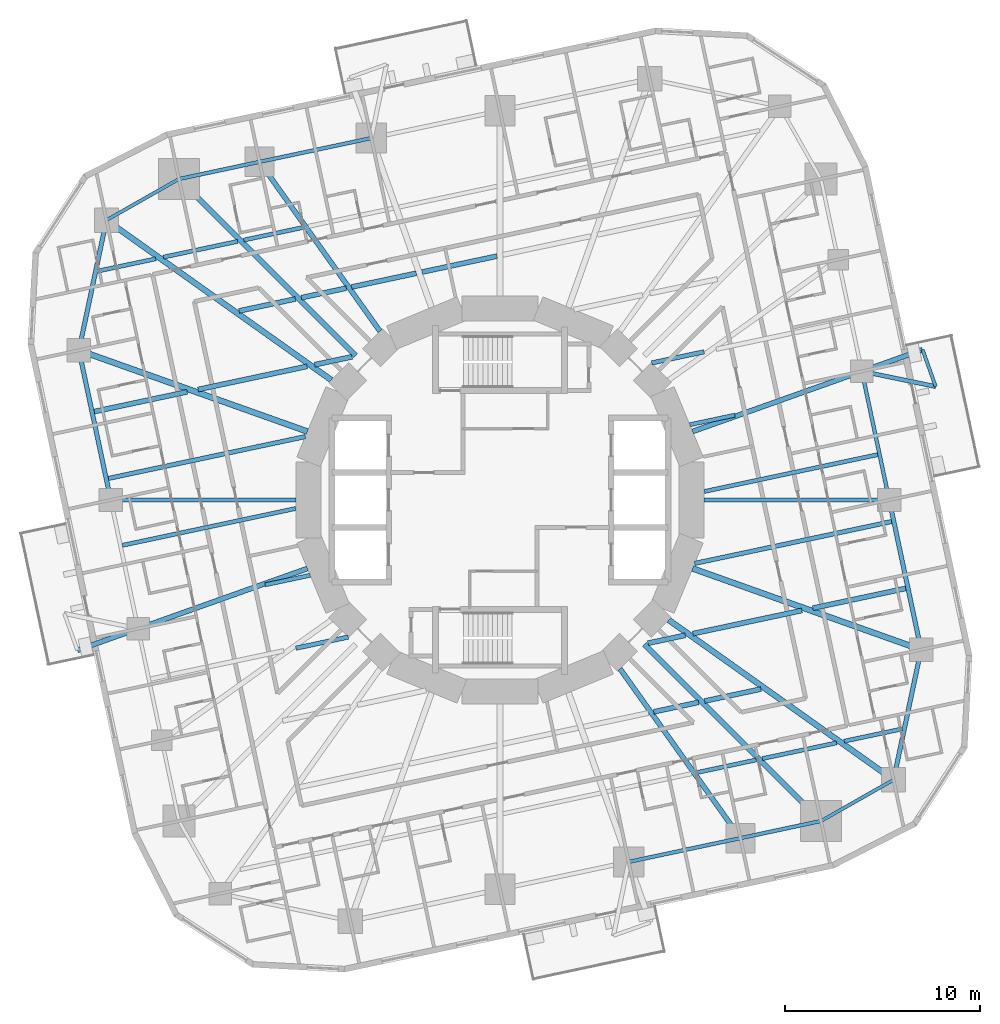
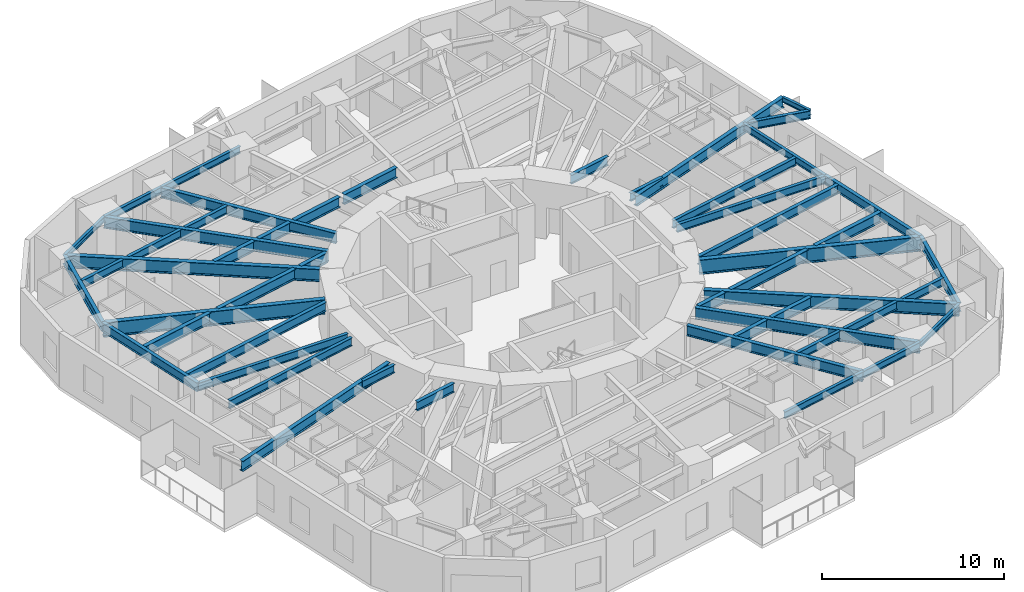
# One storey, part 2 of 14: 51 beams.
"""IFC4 building model written with IfcOpenShell, lengths in metres."""

from ifc_helpers import new_model, si_unit, direction, frame, origin, origin_2d, place, context, subcontext, project, spatial, i_section, extrude, material, material_profile, profile_set, type_object, element, save


model = new_model("IFC4")

# Units and contexts
model_context = context("Model", 3, precision=1e-05, world=origin(), true_north=direction((0.0, 1.0)))
body_context = subcontext(model_context, "Body", "Model", "MODEL_VIEW")
ifc_project = project(units=[si_unit("LENGTHUNIT", "METRE"), si_unit("AREAUNIT", "SQUARE_METRE"), si_unit("VOLUMEUNIT", "CUBIC_METRE"), si_unit("PLANEANGLEUNIT", "RADIAN"), si_unit("MASSUNIT", "GRAM", prefix="KILO")], contexts=[model_context])

# Site, building, storey
site_placement = place(None, origin())
site = spatial("IfcSite", under=ifc_project, at=site_placement, CompositionType="ELEMENT")
building_placement = place(site_placement, origin())
building = spatial("IfcBuilding", under=site, at=building_placement, Name="Nakasero Lantern House", CompositionType="ELEMENT")
storey_placement = place(building_placement, frame((0.0, 0.0, 128.10009765625)))
storey = spatial("IfcBuildingStorey", under=building, at=storey_placement, Name="L31", CompositionType="ELEMENT", Elevation=128.10009765625)

# Beams
ifc_material_1 = material(Name="Steel S355", Category="steel")
ifc_material_profile_1 = material_profile(ifc_material_1, i_section(OverallWidth=0.2138671875, OverallDepth=0.549072265625, WebThickness=0.0146484375, FlangeThickness=0.023681640625, FilletRadius=0.0126953125, at=origin_2d()), Name="UB 533x210x138")
ifc_profile_set_1 = profile_set([ifc_material_profile_1], Name="Steel S355")
beam_type_1 = type_object("IfcBeamType", Name="Balcony splay beam UB 533x210x138", PredefinedType="BEAM", material=ifc_profile_set_1)
beam_1_placement = place(storey_placement, frame((18.534912109375, 6.590087890625, 3.375244140625), z_axis=(0.979420272605, -0.201831438605, 0.0), x_axis=(0.201831438605, 0.979420272605, 0.0)))
element("IfcBeam", 1, at=beam_1_placement, inside=storey, type_object=beam_type_1, Name="Balcony splay beam L32 B3-C04A", PredefinedType="BEAM", context=body_context, shape_type="SweptSolid", body=[
    extrude(i_section(OverallWidth=0.2138671875, OverallDepth=0.549072265625, WebThickness=0.0146484375, FlangeThickness=0.023681640625, FilletRadius=0.0126953125, at=origin_2d()), origin(), (0.0, 0.0, 1.0), 3.858642578125),
])
ifc_material_2 = material(Name="Steel S355", Category="steel")
ifc_material_profile_2 = material_profile(ifc_material_2, i_section(OverallWidth=0.17138671875, OverallDepth=0.35498046875, WebThickness=0.00732421875, FlangeThickness=0.011474609375, FilletRadius=0.01025390625, at=origin_2d()), Name="UB 356x171x51")
ifc_profile_set_2 = profile_set([ifc_material_profile_2], Name="Steel S355")
beam_type_2 = type_object("IfcBeamType", Name="Balcony tie beam UB 356x171x51", PredefinedType="BEAM", material=ifc_profile_set_2)
beam_2_placement = place(storey_placement, frame((22.314208984375, 5.811279296875, 3.472412109375), z_axis=(-0.335060236487, 0.942196708721, 0.0), x_axis=(-0.942196708721, -0.335060236487, 0.0)))
element("IfcBeam", 2, at=beam_2_placement, inside=storey, type_object=beam_type_2, Name="Balcony tie beam L32 B3-C04", PredefinedType="BEAM", context=body_context, shape_type="SweptSolid", body=[
    extrude(i_section(OverallWidth=0.17138671875, OverallDepth=0.35498046875, WebThickness=0.00732421875, FlangeThickness=0.011474609375, FilletRadius=0.01025390625, at=origin_2d()), origin(), (0.0, 0.0, 1.0), 2.000244140625),
])
ifc_material_3 = material(Name="Steel S355", Category="steel")
ifc_material_profile_3 = material_profile(ifc_material_3, i_section(OverallWidth=0.2099609375, OverallDepth=0.53662109375, WebThickness=0.0107421875, FlangeThickness=0.017333984375, FilletRadius=0.0126953125, at=origin_2d()), Name="UB 533x210x101")
ifc_profile_set_3 = profile_set([ifc_material_profile_3], Name="Steel S355")
beam_type_3 = type_object("IfcBeamType", Name="Infill beam UB 533x210x101", PredefinedType="JOIST", material=ifc_profile_set_3)
beam_3_placement = place(storey_placement, frame((10.0830078125, -13.958740234375, 3.381591796875), z_axis=(0.97813788874, 0.207957376908, 0.0), x_axis=(-0.207957376908, 0.97813788874, 0.0)))
element("IfcBeam", 3, at=beam_3_placement, inside=storey, type_object=beam_type_3, Name="Infill beam L32 03.5", PredefinedType="JOIST", context=body_context, shape_type="SweptSolid", body=[
    extrude(i_section(OverallWidth=0.2099609375, OverallDepth=0.53662109375, WebThickness=0.0107421875, FlangeThickness=0.017333984375, FilletRadius=0.0126953125, at=origin_2d()), origin(), (0.0, 0.0, 1.0), 3.108642578125),
])
beam_4_placement = place(storey_placement, frame((13.434814453125, -13.24609375, 3.381591796875), z_axis=(0.978152946383, 0.207886539924, 0.0), x_axis=(-0.207886539924, 0.978152946383, 0.0)))
element("IfcBeam", 4, at=beam_4_placement, inside=storey, type_object=beam_type_3, Name="Infill beam L32 03.6", PredefinedType="JOIST", context=body_context, shape_type="SweptSolid", body=[
    extrude(i_section(OverallWidth=0.2099609375, OverallDepth=0.53662109375, WebThickness=0.0107421875, FlangeThickness=0.017333984375, FilletRadius=0.0126953125, at=origin_2d()), origin(), (0.0, 0.0, 1.0), 3.888427734375),
])
beam_5_placement = place(storey_placement, frame((17.626708984375, -12.355224609375, 3.381591796875), z_axis=(0.97814185296, 0.207938730129, 0.0), x_axis=(-0.207938730129, 0.97814185296, 0.0)))
element("IfcBeam", 5, at=beam_5_placement, inside=storey, type_object=beam_type_3, Name="Infill beam L32 03.7", PredefinedType="JOIST", context=body_context, shape_type="SweptSolid", body=[
    extrude(i_section(OverallWidth=0.2099609375, OverallDepth=0.53662109375, WebThickness=0.0107421875, FlangeThickness=0.017333984375, FilletRadius=0.0126953125, at=origin_2d()), origin(), (0.0, 0.0, 1.0), 3.0302734375),
])
beam_6_placement = place(storey_placement, frame((-12.030029296875, -4.34619140625, 3.381591796875), z_axis=(0.97814938161, 0.207903312278, 0.0), x_axis=(-0.207903312278, 0.97814938161, 0.0)))
element("IfcBeam", 6, at=beam_6_placement, inside=storey, type_object=beam_type_3, Name="Infill beam L32 07.1", PredefinedType="JOIST", context=body_context, shape_type="SweptSolid", body=[
    extrude(i_section(OverallWidth=0.2099609375, OverallDepth=0.53662109375, WebThickness=0.0107421875, FlangeThickness=0.017333984375, FilletRadius=0.0126953125, at=origin_2d()), origin(), (0.0, 0.0, 1.0), 2.359130859375),
])
for number, where, z_axis, x_axis, name in (
    (7, (10.457763671875, 0.433837890625, 3.381591796875), (0.978146760676, 0.207915642939, 0.0), (-0.207915642939, 0.978146760676, 0.0), "Infill beam L32 07.2"),
    (8, (-19.34423828125, -2.32275390625, 3.381591796875), (0.978146760676, 0.207915642939, 0.0), (-0.207915642939, 0.978146760676, 0.0), "Infill beam L32 08.1"),
):
    element("IfcBeam", number, at=place(storey_placement, frame(where, z_axis=z_axis, x_axis=x_axis)), inside=storey, type_object=beam_type_3, Name=name, PredefinedType="JOIST", context=body_context, shape_type="SweptSolid", body=[
        extrude(i_section(OverallWidth=0.2099609375, OverallDepth=0.53662109375, WebThickness=0.0107421875, FlangeThickness=0.017333984375, FilletRadius=0.0126953125, at=origin_2d()), origin(), (0.0, 0.0, 1.0), 9.0849609375),
    ])
beam_7_placement = place(storey_placement, frame((9.722412109375, 3.855712890625, 3.381591796875), z_axis=(0.97814938161, 0.207903312278, 0.0), x_axis=(-0.207903312278, 0.97814938161, 0.0)))
element("IfcBeam", 9, at=beam_7_placement, inside=storey, type_object=beam_type_3, Name="Infill beam L32 08.2", PredefinedType="JOIST", context=body_context, shape_type="SweptSolid", body=[
    extrude(i_section(OverallWidth=0.2099609375, OverallDepth=0.53662109375, WebThickness=0.0107421875, FlangeThickness=0.017333984375, FilletRadius=0.0126953125, at=origin_2d()), origin(), (0.0, 0.0, 1.0), 2.359130859375),
])
beam_8_placement = place(storey_placement, frame((-20.5908203125, 11.72509765625, 3.381591796875), z_axis=(0.97814185296, 0.207938730129, 0.0), x_axis=(-0.207938730129, 0.97814185296, 0.0)))
element("IfcBeam", 10, at=beam_8_placement, inside=storey, type_object=beam_type_3, Name="Infill beam L32 12.1", PredefinedType="JOIST", context=body_context, shape_type="SweptSolid", body=[
    extrude(i_section(OverallWidth=0.2099609375, OverallDepth=0.53662109375, WebThickness=0.0107421875, FlangeThickness=0.017333984375, FilletRadius=0.0126953125, at=origin_2d()), origin(), (0.0, 0.0, 1.0), 3.0302734375),
])
beam_9_placement = place(storey_placement, frame((-17.23828125, 12.437744140625, 3.381591796875), z_axis=(0.978152946383, 0.207886539924, 0.0), x_axis=(-0.207886539924, 0.978152946383, 0.0)))
element("IfcBeam", 11, at=beam_9_placement, inside=storey, type_object=beam_type_3, Name="Infill beam L32 12.2", PredefinedType="JOIST", context=body_context, shape_type="SweptSolid", body=[
    extrude(i_section(OverallWidth=0.2099609375, OverallDepth=0.53662109375, WebThickness=0.0107421875, FlangeThickness=0.017333984375, FilletRadius=0.0126953125, at=origin_2d()), origin(), (0.0, 0.0, 1.0), 3.888427734375),
])
beam_10_placement = place(storey_placement, frame((-13.123779296875, 13.312255859375, 3.381591796875), z_axis=(0.97813788874, 0.207957376908, 0.0), x_axis=(-0.207957376908, 0.97813788874, 0.0)))
element("IfcBeam", 12, at=beam_10_placement, inside=storey, type_object=beam_type_3, Name="Infill beam L32 12.3", PredefinedType="JOIST", context=body_context, shape_type="SweptSolid", body=[
    extrude(i_section(OverallWidth=0.2099609375, OverallDepth=0.53662109375, WebThickness=0.0107421875, FlangeThickness=0.017333984375, FilletRadius=0.0126953125, at=origin_2d()), origin(), (0.0, 0.0, 1.0), 3.108642578125),
])
ifc_material_4 = material(Name="Steel S355", Category="steel")
ifc_material_profile_4 = material_profile(ifc_material_4, i_section(OverallWidth=0.2275390625, OverallDepth=0.6025390625, WebThickness=0.010498046875, FlangeThickness=0.014892578125, FilletRadius=0.0126953125, at=origin_2d()), Name="UB 610x229x101")
ifc_profile_set_4 = profile_set([ifc_material_profile_4], Name="Steel S355")
beam_type_4 = type_object("IfcBeamType", Name="Infill beam UB 610x229x101", PredefinedType="JOIST", material=ifc_profile_set_4)
beam_11_placement = place(storey_placement, frame((-10.453369140625, -7.58935546875, 3.3486328125), z_axis=(0.978139842642, 0.207948186423, 0.0), x_axis=(-0.207948186423, 0.978139842642, 0.0)))
element("IfcBeam", 13, at=beam_11_placement, inside=storey, type_object=beam_type_4, Name="Infill beam L32 06.2", PredefinedType="JOIST", context=body_context, shape_type="SweptSolid", body=[
    extrude(i_section(OverallWidth=0.2275390625, OverallDepth=0.6025390625, WebThickness=0.010498046875, FlangeThickness=0.014892578125, FilletRadius=0.0126953125, at=origin_2d()), origin(), (0.0, 0.0, 1.0), 2.74267578125),
])
for number, where, z_axis, x_axis, name in (
    (14, (9.974365234375, -3.2470703125, 3.3486328125), (0.978151564707, 0.207893040916, 0.0), (-0.207893040916, 0.978151564707, 0.0), "Infill beam L32 06.3"),
    (15, (-20.05419921875, 1.104736328125, 3.3486328125), (0.978151564707, 0.207893040916, 0.0), (-0.207893040916, 0.978151564707, 0.0), "Infill beam L32 09.1"),
):
    element("IfcBeam", number, at=place(storey_placement, frame(where, z_axis=z_axis, x_axis=x_axis)), inside=storey, type_object=beam_type_4, Name=name, PredefinedType="JOIST", context=body_context, shape_type="SweptSolid", body=[
        extrude(i_section(OverallWidth=0.2275390625, OverallDepth=0.6025390625, WebThickness=0.010498046875, FlangeThickness=0.014892578125, FilletRadius=0.0126953125, at=origin_2d()), origin(), (0.0, 0.0, 1.0), 10.304931640625),
    ])
beam_12_placement = place(storey_placement, frame((7.770751953125, 7.01904296875, 3.3486328125), z_axis=(0.978139842642, 0.207948186423, 0.0), x_axis=(-0.207948186423, 0.978139842642, 0.0)))
element("IfcBeam", 16, at=beam_12_placement, inside=storey, type_object=beam_type_4, Name="Infill beam L32 09.2", PredefinedType="JOIST", context=body_context, shape_type="SweptSolid", body=[
    extrude(i_section(OverallWidth=0.2275390625, OverallDepth=0.6025390625, WebThickness=0.010498046875, FlangeThickness=0.014892578125, FilletRadius=0.0126953125, at=origin_2d()), origin(), (0.0, 0.0, 1.0), 2.74267578125),
])
ifc_material_5 = material(Name="Steel S355", Category="steel")
ifc_material_profile_5 = material_profile(ifc_material_5, i_section(OverallWidth=0.253662109375, OverallDepth=0.68359375, WebThickness=0.012451171875, FlangeThickness=0.01904296875, FilletRadius=0.01513671875, at=origin_2d()), Name="UB 686x254x140")
ifc_profile_set_5 = profile_set([ifc_material_profile_5], Name="Steel S355")
beam_type_5 = type_object("IfcBeamType", Name="Infill beam UB 686x254x140", PredefinedType="JOIST", material=ifc_profile_set_5)
beam_13_placement = place(storey_placement, frame((7.872802734375, -10.850341796875, 3.30810546875), z_axis=(0.97813694426, 0.207961819271, 0.0), x_axis=(-0.207961819271, 0.97813694426, 0.0)))
element("IfcBeam", 17, at=beam_13_placement, inside=storey, type_object=beam_type_5, Name="Infill beam L32 04.5", PredefinedType="JOIST", context=body_context, shape_type="SweptSolid", body=[
    extrude(i_section(OverallWidth=0.253662109375, OverallDepth=0.68359375, WebThickness=0.012451171875, FlangeThickness=0.01904296875, FilletRadius=0.01513671875, at=origin_2d()), origin(), (0.0, 0.0, 1.0), 2.3515625),
])
for number, where, z_axis, x_axis, name in (
    (18, (10.48388671875, -10.295166015625, 3.30810546875), (0.978146839882, 0.207915270313, 0.0), (-0.207915270313, 0.978146839882, 0.0), "Infill beam L32 04.6"),
    (19, (-13.364501953125, 9.682861328125, 3.30810546875), (0.978146839882, 0.207915270313, 0.0), (-0.207915270313, 0.978146839882, 0.0), "Infill beam L32 11.1"),
):
    element("IfcBeam", number, at=place(storey_placement, frame(where, z_axis=z_axis, x_axis=x_axis)), inside=storey, type_object=beam_type_5, Name=name, PredefinedType="JOIST", context=body_context, shape_type="SweptSolid", body=[
        extrude(i_section(OverallWidth=0.253662109375, OverallDepth=0.68359375, WebThickness=0.012451171875, FlangeThickness=0.01904296875, FilletRadius=0.01513671875, at=origin_2d()), origin(), (0.0, 0.0, 1.0), 2.945068359375),
    ])
beam_14_placement = place(storey_placement, frame((-10.1728515625, 10.361328125, 3.30810546875), z_axis=(0.97813694426, 0.207961819271, 0.0), x_axis=(-0.207961819271, 0.97813694426, 0.0)))
element("IfcBeam", 20, at=beam_14_placement, inside=storey, type_object=beam_type_5, Name="Infill beam L32 11.2", PredefinedType="JOIST", context=body_context, shape_type="SweptSolid", body=[
    extrude(i_section(OverallWidth=0.253662109375, OverallDepth=0.68359375, WebThickness=0.012451171875, FlangeThickness=0.01904296875, FilletRadius=0.01513671875, at=origin_2d()), origin(), (0.0, 0.0, 1.0), 2.3515625),
])
beam_15_placement = place(storey_placement, frame((-7.60009765625, 10.908203125, 3.30810546875), z_axis=(0.978143084163, 0.207932938478, 0.0), x_axis=(-0.207932938478, 0.978143084163, 0.0)))
element("IfcBeam", 21, at=beam_15_placement, inside=storey, type_object=beam_type_5, Name="Infill beam L32 11.3", PredefinedType="JOIST", context=body_context, shape_type="SweptSolid", body=[
    extrude(i_section(OverallWidth=0.253662109375, OverallDepth=0.68359375, WebThickness=0.012451171875, FlangeThickness=0.01904296875, FilletRadius=0.01513671875, at=origin_2d()), origin(), (0.0, 0.0, 1.0), 3.385009765625),
])
beam_16_placement = place(storey_placement, frame((-3.990966796875, 11.67529296875, 3.30810546875), z_axis=(0.978145250615, 0.20792274695, 0.0), x_axis=(-0.20792274695, 0.978145250615, 0.0)))
element("IfcBeam", 22, at=beam_16_placement, inside=storey, type_object=beam_type_5, Name="Infill beam L32 11.4", PredefinedType="JOIST", context=body_context, shape_type="SweptSolid", body=[
    extrude(i_section(OverallWidth=0.253662109375, OverallDepth=0.68359375, WebThickness=0.012451171875, FlangeThickness=0.01904296875, FilletRadius=0.01513671875, at=origin_2d()), origin(), (0.0, 0.0, 1.0), 3.924072265625),
])
ifc_material_6 = material(Name="Steel S355", Category="steel")
ifc_material_profile_6 = material_profile(ifc_material_6, i_section(OverallWidth=0.255859375, OverallDepth=0.69287109375, WebThickness=0.014404296875, FlangeThickness=0.023681640625, FilletRadius=0.01513671875, at=origin_2d()), Name="UB 686x254x170")
ifc_profile_set_6 = profile_set([ifc_material_profile_6], Name="Steel S355")
beam_type_6 = type_object("IfcBeamType", Name="Infill beam UB 686x254x170", PredefinedType="JOIST", material=ifc_profile_set_6)
beam_17_placement = place(storey_placement, frame((7.5771484375, -7.3349609375, 3.303466796875), z_axis=(0.978142670498, 0.207934884401, 0.0), x_axis=(-0.207934884401, 0.978142670498, 0.0)))
element("IfcBeam", 23, at=beam_17_placement, inside=storey, type_object=beam_type_6, Name="Infill beam L32 05.3", PredefinedType="JOIST", context=body_context, shape_type="SweptSolid", body=[
    extrude(i_section(OverallWidth=0.255859375, OverallDepth=0.69287109375, WebThickness=0.014404296875, FlangeThickness=0.023681640625, FilletRadius=0.01513671875, at=origin_2d()), origin(), (0.0, 0.0, 1.0), 1.9560546875),
])
beam_18_placement = place(storey_placement, frame((9.87890625, -6.845703125, 3.303466796875), z_axis=(0.978148855575, 0.207905787166, 0.0), x_axis=(-0.207905787166, 0.978148855575, 0.0)))
element("IfcBeam", 24, at=beam_18_placement, inside=storey, type_object=beam_type_6, Name="Infill beam L32 05.4", PredefinedType="JOIST", context=body_context, shape_type="SweptSolid", body=[
    extrude(i_section(OverallWidth=0.255859375, OverallDepth=0.69287109375, WebThickness=0.014404296875, FlangeThickness=0.023681640625, FilletRadius=0.01513671875, at=origin_2d()), origin(), (0.0, 0.0, 1.0), 5.711669921875),
])
for number, where, z_axis, x_axis, name in (
    (25, (16.026123046875, -5.5390625, 3.303466796875), (0.978141363358, 0.207941033198, 0.0), (-0.207941033198, 0.978141363358, 0.0), "Infill beam L32 05.5"),
    (26, (-20.78173828125, 4.528076171875, 3.303466796875), (0.978141363358, 0.207941033198, 0.0), (-0.207941033198, 0.978141363358, 0.0), "Infill beam L32 10.1"),
):
    element("IfcBeam", number, at=place(storey_placement, frame(where, z_axis=z_axis, x_axis=x_axis)), inside=storey, type_object=beam_type_6, Name=name, PredefinedType="JOIST", context=body_context, shape_type="SweptSolid", body=[
        extrude(i_section(OverallWidth=0.255859375, OverallDepth=0.69287109375, WebThickness=0.014404296875, FlangeThickness=0.023681640625, FilletRadius=0.01513671875, at=origin_2d()), origin(), (0.0, 0.0, 1.0), 4.86181640625),
    ])
beam_19_placement = place(storey_placement, frame((-15.4658203125, 5.658203125, 3.303466796875), z_axis=(0.978148855575, 0.207905787166, 0.0), x_axis=(-0.207905787166, 0.978148855575, 0.0)))
element("IfcBeam", 27, at=beam_19_placement, inside=storey, type_object=beam_type_6, Name="Infill beam L32 10.2", PredefinedType="JOIST", context=body_context, shape_type="SweptSolid", body=[
    extrude(i_section(OverallWidth=0.255859375, OverallDepth=0.69287109375, WebThickness=0.014404296875, FlangeThickness=0.023681640625, FilletRadius=0.01513671875, at=origin_2d()), origin(), (0.0, 0.0, 1.0), 5.711669921875),
])
beam_20_placement = place(storey_placement, frame((-9.490478515625, 6.92822265625, 3.303466796875), z_axis=(0.978142670498, 0.207934884401, 0.0), x_axis=(-0.207934884401, 0.978142670498, 0.0)))
element("IfcBeam", 28, at=beam_20_placement, inside=storey, type_object=beam_type_6, Name="Infill beam L32 10.3", PredefinedType="JOIST", context=body_context, shape_type="SweptSolid", body=[
    extrude(i_section(OverallWidth=0.255859375, OverallDepth=0.69287109375, WebThickness=0.014404296875, FlangeThickness=0.023681640625, FilletRadius=0.01513671875, at=origin_2d()), origin(), (0.0, 0.0, 1.0), 1.9560546875),
])
ifc_material_7 = material(Name="Steel S355", Category="steel")
ifc_material_profile_7 = material_profile(ifc_material_7, i_section(OverallWidth=0.300048828125, OverallDepth=0.97998046875, WebThickness=0.0166015625, FlangeThickness=0.02587890625, FilletRadius=0.030029296875, at=origin_2d()), Name="UB 1016x305x249")
ifc_profile_set_7 = profile_set([ifc_material_profile_7], Name="Steel S355")
beam_type_7 = type_object("IfcBeamType", Name="Primary beam UB 1016x305x249, span 12 to 15 m", PredefinedType="BEAM", material=ifc_profile_set_7)
for number, where, z_axis, x_axis, name in (
    (29, (21.5654296875, -7.667724609375, 3.159912109375), (-0.942213862739, 0.335011995103, 0.0), (-0.335011995103, -0.942213862739, 0.0), "Primary beam L32 B3-C02"),
    (30, (-21.5654296875, 7.667724609375, 3.159912109375), (0.942213862739, -0.335011995103, 0.0), (0.335011995103, 0.942213862739, 0.0), "Primary beam L32 B3-C14"),
):
    element("IfcBeam", number, at=place(storey_placement, frame(where, z_axis=z_axis, x_axis=x_axis)), inside=storey, type_object=beam_type_7, Name=name, PredefinedType="BEAM", context=body_context, shape_type="SweptSolid", body=[
        extrude(i_section(OverallWidth=0.300048828125, OverallDepth=0.97998046875, WebThickness=0.0166015625, FlangeThickness=0.02587890625, FilletRadius=0.030029296875, at=origin_2d()), origin(), (0.0, 0.0, 1.0), 12.41650390625),
    ])
ifc_material_8 = material(Name="Steel S355", Category="steel")
ifc_material_profile_8 = material_profile(ifc_material_8, i_section(OverallWidth=0.208740234375, OverallDepth=0.5283203125, WebThickness=0.009521484375, FlangeThickness=0.01318359375, FilletRadius=0.0126953125, at=origin_2d()), Name="UB 533x210x82")
ifc_profile_set_8 = profile_set([ifc_material_profile_8], Name="Steel S355")
beam_type_8 = type_object("IfcBeamType", Name="Primary beam UB 533x210x82, span 9 to 12 m", PredefinedType="BEAM", material=ifc_profile_set_8)
for number, where, z_axis, x_axis, name in (
    (31, (19.935546875, 0.0, 3.3857421875), (-1.0, 0.0, 0.0), (0.0, -1.0, 0.0), "Primary beam L32 B3-C03"),
    (32, (-19.935546875, 0.0, 3.3857421875), (1.0, 0.0, 0.0), (0.0, 1.0, 0.0), "Primary beam L32 B3-C15"),
):
    element("IfcBeam", number, at=place(storey_placement, frame(where, z_axis=z_axis, x_axis=x_axis)), inside=storey, type_object=beam_type_8, Name=name, PredefinedType="BEAM", context=body_context, shape_type="SweptSolid", body=[
        extrude(i_section(OverallWidth=0.208740234375, OverallDepth=0.5283203125, WebThickness=0.009521484375, FlangeThickness=0.01318359375, FilletRadius=0.0126953125, at=origin_2d()), origin(), (0.0, 0.0, 1.0), 9.477783203125),
    ])
ifc_material_9 = material(Name="Steel S355", Category="steel")
ifc_material_profile_9 = material_profile(ifc_material_9, i_section(OverallWidth=0.255859375, OverallDepth=0.69287109375, WebThickness=0.014404296875, FlangeThickness=0.023681640625, FilletRadius=0.01513671875, at=origin_2d()), Name="UB 686x254x170")
ifc_profile_set_9 = profile_set([ifc_material_profile_9], Name="Steel S355")
beam_type_9 = type_object("IfcBeamType", Name="Primary beam UB 686x254x170, span 9 to 12 m", PredefinedType="BEAM", material=ifc_profile_set_9)
beam_21_placement = place(storey_placement, frame((21.64404296875, 7.69580078125, 3.303466796875), z_axis=(-0.942210717159, -0.335020841845, 0.0), x_axis=(0.335020841845, -0.942210717159, 0.0)))
element("IfcBeam", 33, at=beam_21_placement, inside=storey, type_object=beam_type_9, Name="Primary beam L32 B3-C04", PredefinedType="BEAM", context=body_context, shape_type="SweptSolid", body=[
    extrude(i_section(OverallWidth=0.255859375, OverallDepth=0.69287109375, WebThickness=0.014404296875, FlangeThickness=0.023681640625, FilletRadius=0.01513671875, at=origin_2d()), origin(), (0.0, 0.0, 1.0), 12.5),
])
beam_22_placement = place(storey_placement, frame((-12.31494140625, 17.318115234375, 3.303466796875), z_axis=(0.579520739774, -0.814957491022, 0.0), x_axis=(0.814957491022, 0.579520739774, 0.0)))
element("IfcBeam", 34, at=beam_22_placement, inside=storey, type_object=beam_type_9, Name="Primary beam L32 B3-C11", PredefinedType="BEAM", context=body_context, shape_type="SweptSolid", body=[
    extrude(i_section(OverallWidth=0.255859375, OverallDepth=0.69287109375, WebThickness=0.014404296875, FlangeThickness=0.023681640625, FilletRadius=0.01513671875, at=origin_2d()), origin(), (0.0, 0.0, 1.0), 10.64453125),
])
beam_23_placement = place(storey_placement, frame((-21.64404296875, -7.69580078125, 3.303466796875), z_axis=(0.942210717159, 0.335020841845, 0.0), x_axis=(-0.335020841845, 0.942210717159, 0.0)))
element("IfcBeam", 35, at=beam_23_placement, inside=storey, type_object=beam_type_9, Name="Primary beam L32 B3-C16", PredefinedType="BEAM", context=body_context, shape_type="SweptSolid", body=[
    extrude(i_section(OverallWidth=0.255859375, OverallDepth=0.69287109375, WebThickness=0.014404296875, FlangeThickness=0.023681640625, FilletRadius=0.01513671875, at=origin_2d()), origin(), (0.0, 0.0, 1.0), 12.5),
])
beam_24_placement = place(storey_placement, frame((12.31494140625, -17.318115234375, 3.303466796875), z_axis=(-0.579520739774, 0.814957491022, 0.0), x_axis=(-0.814957491022, -0.579520739774, 0.0)))
element("IfcBeam", 36, at=beam_24_placement, inside=storey, type_object=beam_type_9, Name="Primary beam L32 B3-C23", PredefinedType="BEAM", context=body_context, shape_type="SweptSolid", body=[
    extrude(i_section(OverallWidth=0.255859375, OverallDepth=0.69287109375, WebThickness=0.014404296875, FlangeThickness=0.023681640625, FilletRadius=0.01513671875, at=origin_2d()), origin(), (0.0, 0.0, 1.0), 10.64453125),
])
ifc_material_10 = material(Name="Steel S355", Category="steel")
ifc_material_profile_10 = material_profile(ifc_material_10, i_section(OverallWidth=0.2666015625, OverallDepth=0.76220703125, WebThickness=0.014404296875, FlangeThickness=0.021484375, FilletRadius=0.0166015625, at=origin_2d()), Name="UB 762x267x173")
ifc_profile_set_10 = profile_set([ifc_material_profile_10], Name="Steel S355")
beam_type_10 = type_object("IfcBeamType", Name="Primary beam UB 762x267x173, span 12 to 15 m", PredefinedType="BEAM", material=ifc_profile_set_10)
for number, where, z_axis, x_axis, name in (
    (37, (-16.44091796875, 16.44091796875, 3.268798828125), (0.707106781187, -0.707106781187, 0.0), (0.707106781187, 0.707106781187, 0.0), "Primary beam L32 B3-C12"),
    (38, (16.44091796875, -16.44091796875, 3.268798828125), (-0.707106781187, 0.707106781187, 0.0), (-0.707106781187, -0.707106781187, 0.0), "Primary beam L32 B3-C24"),
):
    element("IfcBeam", number, at=place(storey_placement, frame(where, z_axis=z_axis, x_axis=x_axis)), inside=storey, type_object=beam_type_10, Name=name, PredefinedType="BEAM", context=body_context, shape_type="SweptSolid", body=[
        extrude(i_section(OverallWidth=0.2666015625, OverallDepth=0.76220703125, WebThickness=0.014404296875, FlangeThickness=0.021484375, FilletRadius=0.0166015625, at=origin_2d()), origin(), (0.0, 0.0, 1.0), 12.793212890625),
    ])
ifc_material_11 = material(Name="Steel S355", Category="steel")
ifc_material_profile_11 = material_profile(ifc_material_11, i_section(OverallWidth=0.29248046875, OverallDepth=0.8408203125, WebThickness=0.0146484375, FlangeThickness=0.02685546875, FilletRadius=0.017822265625, at=origin_2d()), Name="UB 838x292x194")
ifc_profile_set_11 = profile_set([ifc_material_profile_11], Name="Steel S355")
beam_type_11 = type_object("IfcBeamType", Name="Primary beam UB 838x292x194, span 12 to 15 m", PredefinedType="BEAM", material=ifc_profile_set_11)
for number, where, z_axis, x_axis, name in (
    (39, (20.15625, -14.33349609375, 3.2294921875), (-0.814946074386, 0.57953679421, 0.0), (-0.57953679421, -0.814946074386, 0.0), "Primary beam L32 B3-C01"),
    (40, (-20.15625, 14.33349609375, 3.2294921875), (0.814946074386, -0.57953679421, 0.0), (0.57953679421, 0.814946074386, 0.0), "Primary beam L32 B3-C13"),
):
    element("IfcBeam", number, at=place(storey_placement, frame(where, z_axis=z_axis, x_axis=x_axis)), inside=storey, type_object=beam_type_11, Name=name, PredefinedType="BEAM", context=body_context, shape_type="SweptSolid", body=[
        extrude(i_section(OverallWidth=0.29248046875, OverallDepth=0.8408203125, WebThickness=0.0146484375, FlangeThickness=0.02685546875, FilletRadius=0.017822265625, at=origin_2d()), origin(), (0.0, 0.0, 1.0), 14.127197265625),
    ])
ifc_material_12 = material(Name="Steel S355", Category="steel")
ifc_material_profile_12 = material_profile(ifc_material_12, i_section(OverallWidth=0.17138671875, OverallDepth=0.35498046875, WebThickness=0.00732421875, FlangeThickness=0.011474609375, FilletRadius=0.01025390625, at=origin_2d()), Name="UB 356x171x51")
ifc_profile_set_12 = profile_set([ifc_material_profile_12], Name="Steel S355")
beam_type_12 = type_object("IfcBeamType", Name="Ring beam UB 356x171x51", PredefinedType="BEAM", material=ifc_profile_set_12)
for number, where, z_axis, x_axis, name in (
    (41, (-16.44091796875, 16.44091796875, 3.472412109375), (-0.869814536213, -0.493378832737, 0.0), (0.493378832737, -0.869814536213, 0.0), "Ring beam L32 B3-C12"),
    (42, (16.44091796875, -16.44091796875, 3.472412109375), (0.869814536213, 0.493378832737, 0.0), (-0.493378832737, 0.869814536213, 0.0), "Ring beam L32 B3-C24"),
):
    element("IfcBeam", number, at=place(storey_placement, frame(where, z_axis=z_axis, x_axis=x_axis)), inside=storey, type_object=beam_type_12, Name=name, PredefinedType="BEAM", context=body_context, shape_type="SweptSolid", body=[
        extrude(i_section(OverallWidth=0.17138671875, OverallDepth=0.35498046875, WebThickness=0.00732421875, FlangeThickness=0.011474609375, FilletRadius=0.01025390625, at=origin_2d()), origin(), (0.0, 0.0, 1.0), 4.271484375),
    ])
ifc_material_13 = material(Name="Steel S355", Category="steel")
ifc_material_profile_13 = material_profile(ifc_material_13, i_section(OverallWidth=0.19140625, OverallDepth=0.4599609375, WebThickness=0.010009765625, FlangeThickness=0.01611328125, FilletRadius=0.01025390625, at=origin_2d()), Name="UB 457x191x82")
ifc_profile_set_13 = profile_set([ifc_material_profile_13], Name="Steel S355")
beam_type_13 = type_object("IfcBeamType", Name="Ring beam UB 457x191x82", PredefinedType="BEAM", material=ifc_profile_set_13)
beam_25_placement = place(storey_placement, frame((19.935546875, 0.0, 3.419921875), z_axis=(-0.20789299389, 0.978151574702, 0.0), x_axis=(-0.978151574702, -0.20789299389, 0.0)))
element("IfcBeam", 43, at=beam_25_placement, inside=storey, type_object=beam_type_13, Name="Ring beam L32 B3-C03", PredefinedType="BEAM", context=body_context, shape_type="SweptSolid", body=[
    extrude(i_section(OverallWidth=0.19140625, OverallDepth=0.4599609375, WebThickness=0.010009765625, FlangeThickness=0.01611328125, FilletRadius=0.01025390625, at=origin_2d()), origin(), (0.0, 0.0, 1.0), 6.7373046875),
])
beam_26_placement = place(storey_placement, frame((-6.590087890625, 18.534912109375, 3.419921875), z_axis=(-0.978149626621, -0.207902159541, 0.0), x_axis=(0.207902159541, -0.978149626621, 0.0)))
element("IfcBeam", 44, at=beam_26_placement, inside=storey, type_object=beam_type_13, Name="Ring beam L32 B3-C10", PredefinedType="BEAM", context=body_context, shape_type="SweptSolid", body=[
    extrude(i_section(OverallWidth=0.19140625, OverallDepth=0.4599609375, WebThickness=0.010009765625, FlangeThickness=0.01611328125, FilletRadius=0.01025390625, at=origin_2d()), origin(), (0.0, 0.0, 1.0), 5.852783203125),
])
beam_27_placement = place(storey_placement, frame((-12.31494140625, 17.318115234375, 3.419921875), z_axis=(-0.978138252658, -0.207955665195, 0.0), x_axis=(0.207955665195, -0.978138252658, 0.0)))
element("IfcBeam", 45, at=beam_27_placement, inside=storey, type_object=beam_type_13, Name="Ring beam L32 B3-C11", PredefinedType="BEAM", context=body_context, shape_type="SweptSolid", body=[
    extrude(i_section(OverallWidth=0.19140625, OverallDepth=0.4599609375, WebThickness=0.010009765625, FlangeThickness=0.01611328125, FilletRadius=0.01025390625, at=origin_2d()), origin(), (0.0, 0.0, 1.0), 4.21826171875),
])
beam_28_placement = place(storey_placement, frame((6.590087890625, -18.534912109375, 3.419921875), z_axis=(0.978149626621, 0.207902159541, 0.0), x_axis=(-0.207902159541, 0.978149626621, 0.0)))
element("IfcBeam", 46, at=beam_28_placement, inside=storey, type_object=beam_type_13, Name="Ring beam L32 B3-C22", PredefinedType="BEAM", context=body_context, shape_type="SweptSolid", body=[
    extrude(i_section(OverallWidth=0.19140625, OverallDepth=0.4599609375, WebThickness=0.010009765625, FlangeThickness=0.01611328125, FilletRadius=0.01025390625, at=origin_2d()), origin(), (0.0, 0.0, 1.0), 5.852783203125),
])
beam_29_placement = place(storey_placement, frame((12.31494140625, -17.318115234375, 3.419921875), z_axis=(0.978138252658, 0.207955665195, 0.0), x_axis=(-0.207955665195, 0.978138252658, 0.0)))
element("IfcBeam", 47, at=beam_29_placement, inside=storey, type_object=beam_type_13, Name="Ring beam L32 B3-C23", PredefinedType="BEAM", context=body_context, shape_type="SweptSolid", body=[
    extrude(i_section(OverallWidth=0.19140625, OverallDepth=0.4599609375, WebThickness=0.010009765625, FlangeThickness=0.01611328125, FilletRadius=0.01025390625, at=origin_2d()), origin(), (0.0, 0.0, 1.0), 4.21826171875),
])
ifc_material_14 = material(Name="Steel S355", Category="steel")
ifc_material_profile_14 = material_profile(ifc_material_14, i_section(OverallWidth=0.2275390625, OverallDepth=0.6025390625, WebThickness=0.010498046875, FlangeThickness=0.014892578125, FilletRadius=0.0126953125, at=origin_2d()), Name="UB 610x229x101")
ifc_profile_set_14 = profile_set([ifc_material_profile_14], Name="Steel S355")
beam_type_14 = type_object("IfcBeamType", Name="Ring beam UB 610x229x101", PredefinedType="BEAM", material=ifc_profile_set_14)
for number, where, z_axis, x_axis, name in (
    (48, (21.5654296875, -7.667724609375, 3.3486328125), (-0.207918725139, 0.978146105516, 0.0), (-0.978146105516, -0.207918725139, 0.0), "Ring beam L32 B3-C02"),
    (49, (-21.5654296875, 7.667724609375, 3.3486328125), (0.207918725139, -0.978146105516, 0.0), (0.978146105516, 0.207918725139, 0.0), "Ring beam L32 B3-C14"),
):
    element("IfcBeam", number, at=place(storey_placement, frame(where, z_axis=z_axis, x_axis=x_axis)), inside=storey, type_object=beam_type_14, Name=name, PredefinedType="BEAM", context=body_context, shape_type="SweptSolid", body=[
        extrude(i_section(OverallWidth=0.2275390625, OverallDepth=0.6025390625, WebThickness=0.010498046875, FlangeThickness=0.014892578125, FilletRadius=0.0126953125, at=origin_2d()), origin(), (0.0, 0.0, 1.0), 7.839111328125),
    ])
ifc_material_15 = material(Name="Steel S355", Category="steel")
ifc_material_profile_15 = material_profile(ifc_material_15, i_section(OverallWidth=0.22900390625, OverallDepth=0.6123046875, WebThickness=0.011962890625, FlangeThickness=0.01953125, FilletRadius=0.0126953125, at=origin_2d()), Name="UB 610x229x125")
ifc_profile_set_15 = profile_set([ifc_material_profile_15], Name="Steel S355")
beam_type_15 = type_object("IfcBeamType", Name="Ring beam UB 610x229x125", PredefinedType="BEAM", material=ifc_profile_set_15)
for number, where, z_axis, x_axis, name in (
    (50, (20.15625, -14.33349609375, 3.34375), (0.206833925052, 0.978376066473, 0.0), (-0.978376066473, 0.206833925052, 0.0), "Ring beam L32 B3-C01"),
    (51, (-20.15625, 14.33349609375, 3.34375), (-0.206833925052, -0.978376066473, 0.0), (0.978376066473, -0.206833925052, 0.0), "Ring beam L32 B3-C13"),
):
    element("IfcBeam", number, at=place(storey_placement, frame(where, z_axis=z_axis, x_axis=x_axis)), inside=storey, type_object=beam_type_15, Name=name, PredefinedType="BEAM", context=body_context, shape_type="SweptSolid", body=[
        extrude(i_section(OverallWidth=0.22900390625, OverallDepth=0.6123046875, WebThickness=0.011962890625, FlangeThickness=0.01953125, FilletRadius=0.0126953125, at=origin_2d()), origin(), (0.0, 0.0, 1.0), 6.81298828125),
    ])

save(model, "model.ifc")
